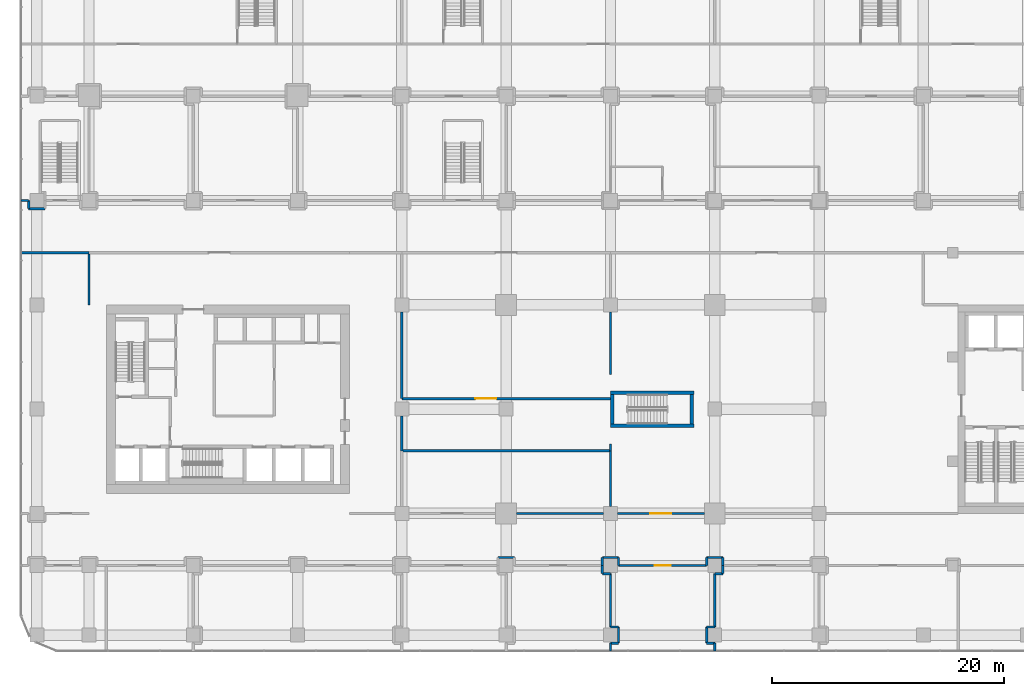
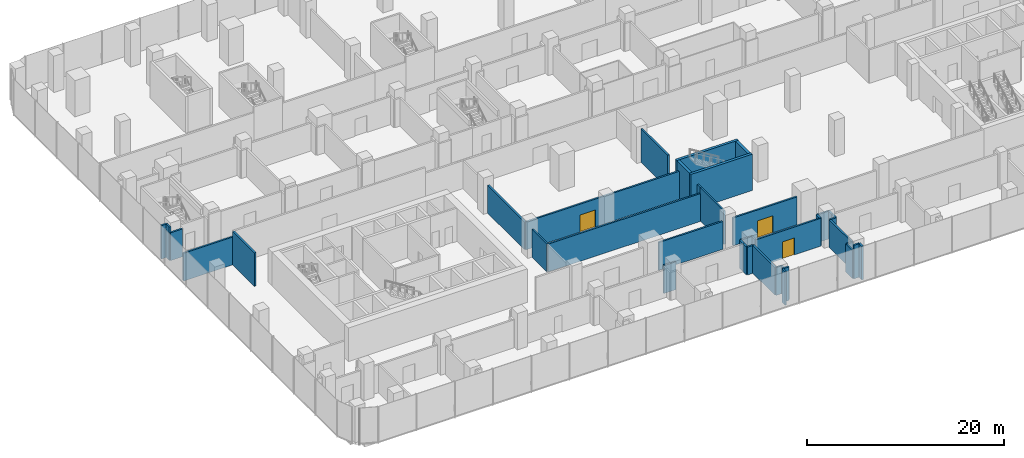
# One storey, part 30 of 43: 40 walls, 3 doors, 3 openings.
"""IFC4 building model written with IfcOpenShell, lengths in metres."""

import ifcopenshell
import ifcopenshell.guid

model = None  # the IFC model being written
_history = None  # IfcOwnerHistory: only IFC2X3 demands one
_inside = {}  # id of a spatial element -> (the spatial element, [elements in it])
_under = {}  # id of a project, library or spatial element -> (it, [spatial elements below it])
_declared = {}  # id of a project -> (the project, [libraries it declares])
_typed = {}  # id of a type object -> (the type object, [elements of that type])
_made_of = {}  # id of a material, layer set ... -> (it, [elements and type objects made of it])


def new_model(schema):
    """Start an empty IFC model of exactly this schema.

    Asked for "IFC4X3", IfcOpenShell would pick the latest addendum, in which some entities
    have other attributes; the version numbers below select the first issue.
    IFC2X3 requires an IfcOwnerHistory on every rooted entity: one is made here for all.
    """
    global model, _history
    if schema == "IFC4X3":
        model = ifcopenshell.file(schema_version=(4, 3, 0, 0))
    else:
        model = ifcopenshell.file(schema=schema)
    _inside.clear()
    _under.clear()
    _declared.clear()
    _typed.clear()
    _made_of.clear()
    _history = None
    if model.schema == "IFC2X3":
        org = make("IfcOrganization", Name="unknown")
        user = make(
            "IfcPersonAndOrganization",
            ThePerson=make("IfcPerson", FamilyName="unknown"),
            TheOrganization=org,
        )
        app = make(
            "IfcApplication",
            ApplicationDeveloper=org,
            Version="unknown",
            ApplicationFullName="unknown",
            ApplicationIdentifier="unknown",
        )
        _history = make(
            "IfcOwnerHistory",
            OwningUser=user,
            OwningApplication=app,
            ChangeAction="ADDED",
            CreationDate=0,
        )
    return model


def make(cls, **values):
    """One entity of the class cls with the attributes given. An attribute that is None is left unset."""
    return model.create_entity(
        cls, **{name: value for name, value in values.items() if value is not None}
    )


def rooted(cls, **values):
    """An entity with a GlobalId (a new one), such as an element, a storey or a relation."""
    return make(cls, GlobalId=ifcopenshell.guid.new(), OwnerHistory=_history, **values)


def si_unit(unit_type, name, prefix=None):
    """IfcSIUnit, for example si_unit("LENGTHUNIT", "METRE", prefix="MILLI")."""
    return make("IfcSIUnit", UnitType=unit_type, Prefix=prefix, Name=name)


def assignment(units):
    """IfcUnitAssignment: the units of a project."""
    return None if units is None else make("IfcUnitAssignment", Units=units)


def point(xyz):
    """IfcCartesianPoint."""
    return None if xyz is None else make("IfcCartesianPoint", Coordinates=xyz)


def direction(xyz):
    """IfcDirection."""
    return None if xyz is None else make("IfcDirection", DirectionRatios=xyz)


def frame(location, z_axis=None, x_axis=None):
    """IfcAxis2Placement3D, a coordinate frame: its origin and axes. An axis left out is left unset."""
    return make(
        "IfcAxis2Placement3D",
        Location=point(location),
        Axis=direction(z_axis),
        RefDirection=direction(x_axis),
    )


def frame_2d(location, x_axis=None):
    """IfcAxis2Placement2D, a coordinate frame in the plane: its origin and x axis."""
    return make(
        "IfcAxis2Placement2D", Location=point(location), RefDirection=direction(x_axis)
    )


def origin():
    """The frame at (0, 0, 0) with its axes left unset."""
    return frame((0.0, 0.0, 0.0))


def place(relative_to, where):
    """IfcLocalPlacement: puts the frame where relative to a parent placement (None: the world)."""
    return make(
        "IfcLocalPlacement", PlacementRelTo=relative_to, RelativePlacement=where
    )


def context(
    kind, dimensions, precision=None, world=None, true_north=None, identifier=None
):
    """IfcGeometricRepresentationContext, for example the 3D "Model" context."""
    return make(
        "IfcGeometricRepresentationContext",
        ContextIdentifier=identifier,
        ContextType=kind,
        CoordinateSpaceDimension=dimensions,
        Precision=precision,
        WorldCoordinateSystem=world,
        TrueNorth=true_north,
    )


def subcontext(parent, identifier, kind, view, scale=None):
    """IfcGeometricRepresentationSubContext, for example "Body" below "Model"."""
    return make(
        "IfcGeometricRepresentationSubContext",
        ContextIdentifier=identifier,
        ContextType=kind,
        ParentContext=parent,
        TargetScale=scale,
        TargetView=view,
    )


def project(units=None, contexts=None):
    """IfcProject with its units and contexts."""
    return rooted(
        "IfcProject",
        Name="project",
        RepresentationContexts=contexts,
        UnitsInContext=assignment(units),
    )


def spatial(cls, under=None, at=None, **own):
    """A site, building, storey or space (cls), placed at a placement, below another one or the project."""
    s = rooted(cls, ObjectPlacement=at, **own)
    if under is not None:
        _under.setdefault(under.id(), (under, []))[1].append(s)
    return s


def profile(cls, at=None, kind="AREA", **sizes):
    """A parametric profile (cls). Its sizes go by their IFC names, for example OverallWidth=200.0."""
    return make(cls, ProfileType=kind, Position=at, **sizes)


def rectangle(**sizes):
    """IfcRectangleProfileDef."""
    return profile("IfcRectangleProfileDef", **sizes)


def extrude(swept, where, along, depth):
    """IfcExtrudedAreaSolid: the profile swept, set in the frame where, extruded along a direction by depth."""
    return make(
        "IfcExtrudedAreaSolid",
        SweptArea=swept,
        Position=where,
        ExtrudedDirection=direction(along),
        Depth=depth,
    )


def shape(context_of_items, identifier, shape_type, items):
    """IfcShapeRepresentation: the items that make up one representation, for example the "Body"."""
    return make(
        "IfcShapeRepresentation",
        ContextOfItems=context_of_items,
        RepresentationIdentifier=identifier,
        RepresentationType=shape_type,
        Items=items,
    )


def material(Name=None, Category=None):
    """IfcMaterial."""
    return make("IfcMaterial", Name=Name, Category=Category)


def layer(
    of_material, thickness, ventilated=None, Name=None, Category=None, Priority=None
):
    """IfcMaterialLayer: one layer of a wall or slab, of a material (None: an air gap)."""
    return make(
        "IfcMaterialLayer",
        Material=of_material,
        LayerThickness=thickness,
        IsVentilated=ventilated,
        Name=Name,
        Category=Category,
        Priority=Priority,
    )


def layer_set(layers, Name=None):
    """IfcMaterialLayerSet."""
    return make("IfcMaterialLayerSet", MaterialLayers=layers, LayerSetName=Name)


def made_of(thing, what):
    """Note that an element or type object is made of a material, layer set ...; save() writes the relation."""
    if what is not None:
        _made_of.setdefault(what.id(), (what, []))[1].append(thing)
    return thing


def type_object(cls, material=None, **own):
    """A type object (cls), such as IfcWallType, which elements share."""
    return made_of(rooted(cls, **own), material)


def element(
    cls,
    number,
    at=None,
    inside=None,
    cuts=None,
    type_object=None,
    material=None,
    context=None,
    identifier="Body",
    shape_type=None,
    held_by="IfcProductDefinitionShape",
    body=None,
    shapes=None,
    **own,
):
    """One element of the class cls, such as IfcWall. Its Tag is "e" and its number.

    at: its placement. inside: the storey or other place that contains it. cuts: it is an
    opening in that element (IfcRelVoidsElement). A single representation is given by context,
    identifier, shape_type and body (its items); several are given by shapes. held_by: the class
    of the entity that holds the representations. save() writes the other relations.
    """
    e = rooted(cls, Tag="e%d" % number, ObjectPlacement=at, **own)
    if body is not None:
        shapes = [shape(context, identifier, shape_type, body)]
    if shapes is not None:
        e.Representation = make(held_by, Representations=shapes)
    if inside is not None:
        _inside.setdefault(inside.id(), (inside, []))[1].append(e)
    if cuts is not None:
        rooted(
            "IfcRelVoidsElement", RelatingBuildingElement=cuts, RelatedOpeningElement=e
        )
    if type_object is not None:
        _typed.setdefault(type_object.id(), (type_object, []))[1].append(e)
    return made_of(e, material)


def fill(opening, filler):
    """IfcRelFillsElement: the door or window that sits in an opening."""
    return rooted(
        "IfcRelFillsElement",
        RelatingOpeningElement=opening,
        RelatedBuildingElement=filler,
    )


def aggregate(whole, parts):
    """IfcRelAggregates: a whole, such as a stair, and the parts it consists of."""
    return rooted("IfcRelAggregates", RelatingObject=whole, RelatedObjects=parts)


def save(model, path):
    """Write the relations noted so far, then the file.

    IfcRelAggregates (storeys below a building ...), IfcRelContainedInSpatialStructure (elements
    in a storey), IfcRelDefinesByType, IfcRelAssociatesMaterial and IfcRelDeclares: one each for
    every whole, place, type object, material and project.
    """
    for whole, parts in _under.values():
        aggregate(whole, parts)
    for where, things in _inside.values():
        rooted(
            "IfcRelContainedInSpatialStructure",
            RelatedElements=things,
            RelatingStructure=where,
        )
    for kind, things in _typed.values():
        rooted("IfcRelDefinesByType", RelatedObjects=things, RelatingType=kind)
    for what, things in _made_of.values():
        rooted("IfcRelAssociatesMaterial", RelatedObjects=things, RelatingMaterial=what)
    for by, libraries in _declared.values():
        rooted("IfcRelDeclares", RelatingContext=by, RelatedDefinitions=libraries)
    model.write(path)


model = new_model("IFC4")

# Units and contexts
model_context = context("Model", 3, precision=1e-05, world=origin(), true_north=direction((0.0, 1.0)))
body_context = subcontext(model_context, "Body", "Model", "MODEL_VIEW")
ifc_project = project(units=[si_unit("LENGTHUNIT", "METRE"), si_unit("AREAUNIT", "SQUARE_METRE"), si_unit("VOLUMEUNIT", "CUBIC_METRE"), si_unit("PLANEANGLEUNIT", "RADIAN"), si_unit("MASSUNIT", "GRAM", prefix="KILO")], contexts=[model_context])

# Site, building, storey
site_placement = place(None, origin())
site = spatial("IfcSite", under=ifc_project, at=site_placement, CompositionType="ELEMENT")
building_placement = place(site_placement, origin())
building = spatial("IfcBuilding", under=site, at=building_placement, Name="Plateau Cross Towers", CompositionType="ELEMENT")
storey_placement = place(building_placement, frame((0.0, 0.0, 12.800048828125)))
storey = spatial("IfcBuildingStorey", under=building, at=storey_placement, Name="L02", CompositionType="ELEMENT", Elevation=12.800048828125)

# Wall, opening, door
ifc_material_1 = material(Name="Gypsum board on steel studs", Category="steel")
ifc_layer_1 = layer(ifc_material_1, 0.199951171875)
ifc_layer_set_1 = layer_set([ifc_layer_1], Name="Gypsum board on steel studs")
wall_type_1 = type_object("IfcWallType", Name="Podium partition 200", PredefinedType="PARTITIONING", material=ifc_layer_set_1)
wall_1_placement = place(storey_placement, frame((45.60009765625, 0.0, 0.0), z_axis=(0.0, 0.0, 1.0), x_axis=(1.0, 0.0, 0.0)))
wall_1 = element("IfcWall", 1, at=wall_1_placement, inside=storey, type_object=wall_type_1, Name="Partition wall", PredefinedType="PARTITIONING", context=body_context, shape_type="SweptSolid", body=[
    extrude(rectangle(XDim=7.5, YDim=0.199951171875, at=frame_2d((3.75, 0.0))), origin(), (0.0, 0.0, 1.0), 3.449951171875),
])
opening_1_placement = place(wall_1_placement, frame((2.85009765625, 0.0, 0.0)))
opening_1 = element("IfcOpeningElement", 2, at=opening_1_placement, cuts=wall_1, Name="Opening 02-32", PredefinedType="OPENING", context=body_context, shape_type="SweptSolid", body=[
    extrude(rectangle(XDim=1.800048828125, YDim=2.10009765625, at=frame_2d((0.89990234375, 1.050048828125))), frame((0.0, 0.10986328125, 0.0), z_axis=(0.0, -1.0, 0.0), x_axis=(1.0, 0.0, 0.0)), (0.0, 0.0, 1.0), 0.219970703125),
])
ifc_material_2 = material(Name="Aluminium frame, toughened glass", Category="aluminium")
door_type_1 = type_object("IfcDoorType", Name="Podium door pair 1800", OperationType="NOTDEFINED", PredefinedType="DOOR", material=ifc_material_2)
door_1_placement = place(opening_1_placement, origin())
door_1 = element("IfcDoor", 3, at=door_1_placement, inside=storey, type_object=door_type_1, Name="Door 02-32", OperationType="DOUBLE_DOOR_SINGLE_SWING", OverallHeight=2.10009765625, OverallWidth=1.800048828125, PredefinedType="DOOR", context=body_context, shape_type="SweptSolid", body=[
    extrude(rectangle(XDim=1.800048828125, YDim=2.10009765625, at=frame_2d((0.89990234375, 1.050048828125))), frame((0.0, 0.02490234375, 0.0), z_axis=(0.0, -1.0, 0.0), x_axis=(1.0, 0.0, 0.0)), (0.0, 0.0, 1.0), 0.050048828125),
])
fill(opening_1, door_1)

# Wall
wall_2_placement = place(storey_placement, frame((36.89990234375, 0.0, 0.0), z_axis=(0.0, 0.0, 1.0), x_axis=(1.0, 0.0, 0.0)))
element("IfcWall", 4, at=wall_2_placement, inside=storey, type_object=wall_type_1, Name="Partition wall", PredefinedType="PARTITIONING", context=body_context, shape_type="SweptSolid", body=[
    extrude(rectangle(XDim=7.5, YDim=0.199951171875, at=frame_2d((3.75, 0.0))), origin(), (0.0, 0.0, 1.0), 3.449951171875),
])

# Wall, opening, door
wall_3_placement = place(storey_placement, frame((27.0, 9.89990234375, 0.0), z_axis=(0.0, 0.0, 1.0), x_axis=(1.0, 0.0, 0.0)))
wall_3 = element("IfcWall", 5, at=wall_3_placement, inside=storey, type_object=wall_type_1, Name="Partition wall", PredefinedType="PARTITIONING", context=body_context, shape_type="SweptSolid", body=[
    extrude(rectangle(XDim=18.0, YDim=0.199951171875, at=frame_2d((9.0, 0.0))), origin(), (0.0, 0.0, 1.0), 3.449951171875),
])
opening_2_placement = place(wall_3_placement, frame((6.35009765625, 0.0, 0.0)))
opening_2 = element("IfcOpeningElement", 6, at=opening_2_placement, cuts=wall_3, Name="Opening 02-43", PredefinedType="OPENING", context=body_context, shape_type="SweptSolid", body=[
    extrude(rectangle(XDim=1.800048828125, YDim=2.10009765625, at=frame_2d((0.89990234375, 1.050048828125))), frame((0.0, 0.10986328125, 0.0), z_axis=(0.0, -1.0, 0.0), x_axis=(1.0, 0.0, 0.0)), (0.0, 0.0, 1.0), 0.219970703125),
])
door_2_placement = place(opening_2_placement, origin())
door_2 = element("IfcDoor", 7, at=door_2_placement, inside=storey, type_object=door_type_1, Name="Door 02-43", OperationType="DOUBLE_DOOR_SINGLE_SWING", OverallHeight=2.10009765625, OverallWidth=1.800048828125, PredefinedType="DOOR", context=body_context, shape_type="SweptSolid", body=[
    extrude(rectangle(XDim=1.800048828125, YDim=2.10009765625, at=frame_2d((0.89990234375, 1.050048828125))), frame((0.0, 0.02490234375, 0.0), z_axis=(0.0, -1.0, 0.0), x_axis=(1.0, 0.0, 0.0)), (0.0, 0.0, 1.0), 0.050048828125),
])
fill(opening_2, door_2)

# Walls
wall_4_placement = place(storey_placement, frame((45.0, 5.39990234375, 0.0), z_axis=(0.0, 0.0, 1.0), x_axis=(-1.0, 0.0, 0.0)))
element("IfcWall", 8, at=wall_4_placement, inside=storey, type_object=wall_type_1, Name="Partition wall", PredefinedType="PARTITIONING", context=body_context, shape_type="SweptSolid", body=[
    extrude(rectangle(XDim=18.0, YDim=0.199951171875, at=frame_2d((9.0, 0.0))), origin(), (0.0, 0.0, 1.0), 3.449951171875),
])
wall_5_placement = place(storey_placement, frame((54.699951171875, -4.5, 0.0), z_axis=(0.0, 0.0, 1.0), x_axis=(0.0, 1.0, 0.0)))
element("IfcWall", 9, at=wall_5_placement, inside=storey, type_object=wall_type_1, Name="Partition wall", PredefinedType="PARTITIONING", context=body_context, shape_type="SweptSolid", body=[
    extrude(rectangle(XDim=0.699951171875, YDim=0.199951171875, at=frame_2d((0.35009765625, 0.0))), origin(), (0.0, 0.0, 1.0), 3.449951171875),
])
wall_6_placement = place(storey_placement, frame((54.699951171875, -3.800048828125, 0.0), z_axis=(0.0, 0.0, 1.0), x_axis=(-1.0, 0.0, 0.0)))
element("IfcWall", 10, at=wall_6_placement, inside=storey, type_object=wall_type_1, Name="Partition wall", PredefinedType="PARTITIONING", context=body_context, shape_type="SweptSolid", body=[
    extrude(rectangle(XDim=1.39990234375, YDim=0.199951171875, at=frame_2d((0.699951171875, 0.0))), origin(), (0.0, 0.0, 1.0), 3.449951171875),
])
wall_7_placement = place(storey_placement, frame((53.300048828125, -3.800048828125, 0.0), z_axis=(0.0, 0.0, 1.0), x_axis=(0.0, -1.0, 0.0)))
element("IfcWall", 11, at=wall_7_placement, inside=storey, type_object=wall_type_1, Name="Partition wall", PredefinedType="PARTITIONING", context=body_context, shape_type="SweptSolid", body=[
    extrude(rectangle(XDim=0.699951171875, YDim=0.199951171875, at=frame_2d((0.35009765625, 0.0))), origin(), (0.0, 0.0, 1.0), 3.449951171875),
])

# Wall, opening, door
wall_8_placement = place(storey_placement, frame((53.300048828125, -4.5, 0.0), z_axis=(0.0, 0.0, 1.0), x_axis=(-1.0, 0.0, 0.0)))
wall_8 = element("IfcWall", 12, at=wall_8_placement, inside=storey, type_object=wall_type_1, Name="Partition wall", PredefinedType="PARTITIONING", context=body_context, shape_type="SweptSolid", body=[
    extrude(rectangle(XDim=7.60009765625, YDim=0.199951171875, at=frame_2d((3.800048828125, 0.0))), origin(), (0.0, 0.0, 1.0), 3.449951171875),
])
opening_3_placement = place(wall_8_placement, frame((3.10009765625, 0.0, 0.0)))
opening_3 = element("IfcOpeningElement", 13, at=opening_3_placement, cuts=wall_8, Name="Opening 02-12", PredefinedType="OPENING", context=body_context, shape_type="SweptSolid", body=[
    extrude(rectangle(XDim=1.39990234375, YDim=2.10009765625, at=frame_2d((0.699951171875, 1.050048828125))), frame((0.0, 0.10986328125, 0.0), z_axis=(0.0, -1.0, 0.0), x_axis=(1.0, 0.0, 0.0)), (0.0, 0.0, 1.0), 0.219970703125),
])
ifc_material_3 = material(Name="Timber, hospital grade leaf", Category="wood")
door_type_2 = type_object("IfcDoorType", Name="Clinic bed access door 1400x2100", OperationType="NOTDEFINED", PredefinedType="DOOR", material=ifc_material_3)
door_3_placement = place(opening_3_placement, origin())
door_3 = element("IfcDoor", 14, at=door_3_placement, inside=storey, type_object=door_type_2, Name="Door 02-12", OperationType="SINGLE_SWING_LEFT", OverallHeight=2.10009765625, OverallWidth=1.39990234375, PredefinedType="DOOR", context=body_context, shape_type="SweptSolid", body=[
    extrude(rectangle(XDim=1.39990234375, YDim=2.10009765625, at=frame_2d((0.699951171875, 1.050048828125))), frame((0.0, 0.02490234375, 0.0), z_axis=(0.0, -1.0, 0.0), x_axis=(1.0, 0.0, 0.0)), (0.0, 0.0, 1.0), 0.050048828125),
])
fill(opening_3, door_3)

# Walls
wall_9_placement = place(storey_placement, frame((45.699951171875, -4.5, 0.0), z_axis=(0.0, 0.0, 1.0), x_axis=(0.0, 1.0, 0.0)))
element("IfcWall", 15, at=wall_9_placement, inside=storey, type_object=wall_type_1, Name="Partition wall", PredefinedType="PARTITIONING", context=body_context, shape_type="SweptSolid", body=[
    extrude(rectangle(XDim=0.699951171875, YDim=0.199951171875, at=frame_2d((0.35009765625, 0.0))), origin(), (0.0, 0.0, 1.0), 3.449951171875),
])
wall_10_placement = place(storey_placement, frame((45.699951171875, -3.800048828125, 0.0), z_axis=(0.0, 0.0, 1.0), x_axis=(-1.0, 0.0, 0.0)))
element("IfcWall", 16, at=wall_10_placement, inside=storey, type_object=wall_type_1, Name="Partition wall", PredefinedType="PARTITIONING", context=body_context, shape_type="SweptSolid", body=[
    extrude(rectangle(XDim=1.39990234375, YDim=0.199951171875, at=frame_2d((0.699951171875, 0.0))), origin(), (0.0, 0.0, 1.0), 3.449951171875),
])
wall_11_placement = place(storey_placement, frame((44.300048828125, -3.800048828125, 0.0), z_axis=(0.0, 0.0, 1.0), x_axis=(0.0, -1.0, 0.0)))
element("IfcWall", 17, at=wall_11_placement, inside=storey, type_object=wall_type_1, Name="Partition wall", PredefinedType="PARTITIONING", context=body_context, shape_type="SweptSolid", body=[
    extrude(rectangle(XDim=0.699951171875, YDim=0.199951171875, at=frame_2d((0.35009765625, 0.0))), origin(), (0.0, 0.0, 1.0), 3.449951171875),
])
wall_12_placement = place(storey_placement, frame((27.0, 17.39990234375, 0.0), z_axis=(0.0, 0.0, 1.0), x_axis=(0.0, -1.0, 0.0)))
element("IfcWall", 18, at=wall_12_placement, inside=storey, type_object=wall_type_1, Name="Partition wall", PredefinedType="PARTITIONING", context=body_context, shape_type="SweptSolid", body=[
    extrude(rectangle(XDim=7.5, YDim=0.199951171875, at=frame_2d((3.75, 0.0))), origin(), (0.0, 0.0, 1.0), 3.449951171875),
])
wall_13_placement = place(storey_placement, frame((45.0, 17.39990234375, 0.0), z_axis=(0.0, 0.0, 1.0), x_axis=(0.0, -1.0, 0.0)))
element("IfcWall", 19, at=wall_13_placement, inside=storey, type_object=wall_type_1, Name="Partition wall", PredefinedType="PARTITIONING", context=body_context, shape_type="SweptSolid", body=[
    extrude(rectangle(XDim=5.39990234375, YDim=0.199951171875, at=frame_2d((2.699951171875, 0.0))), origin(), (0.0, 0.0, 1.0), 4.14990234375),
])
wall_14_placement = place(storey_placement, frame((36.699951171875, -3.800048828125, 0.0), z_axis=(0.0, 0.0, 1.0), x_axis=(-1.0, 0.0, 0.0)))
element("IfcWall", 20, at=wall_14_placement, inside=storey, type_object=wall_type_1, Name="Partition wall", PredefinedType="PARTITIONING", context=body_context, shape_type="SweptSolid", body=[
    extrude(rectangle(XDim=1.39990234375, YDim=0.199951171875, at=frame_2d((0.699951171875, 0.0))), origin(), (0.0, 0.0, 1.0), 3.449951171875),
])
for number, where, z_axis, x_axis, name in (
    (21, (44.300048828125, -4.5, 0.0), (0.0, 0.0, 1.0), (0.0, -1.0, 0.0), "Partition wall"),
    (22, (44.300048828125, -5.199951171875, 0.0), (0.0, 0.0, 1.0), (1.0, 0.0, 0.0), "Partition wall"),
):
    element("IfcWall", number, at=place(storey_placement, frame(where, z_axis=z_axis, x_axis=x_axis)), inside=storey, type_object=wall_type_1, Name=name, PredefinedType="PARTITIONING", context=body_context, shape_type="SweptSolid", body=[
        extrude(rectangle(XDim=0.699951171875, YDim=0.199951171875, at=frame_2d((0.35009765625, 0.0))), origin(), (0.0, 0.0, 1.0), 3.449951171875),
    ])
wall_15_placement = place(storey_placement, frame((45.0, -5.199951171875, 0.0), z_axis=(0.0, 0.0, 1.0), x_axis=(0.0, -1.0, 0.0)))
element("IfcWall", 23, at=wall_15_placement, inside=storey, type_object=wall_type_1, Name="Partition wall", PredefinedType="PARTITIONING", context=body_context, shape_type="SweptSolid", body=[
    extrude(rectangle(XDim=4.60009765625, YDim=0.199951171875, at=frame_2d((2.300048828125, 0.0))), origin(), (0.0, 0.0, 1.0), 3.449951171875),
])
wall_16_placement = place(storey_placement, frame((45.0, -9.800048828125, 0.0), z_axis=(0.0, 0.0, 1.0), x_axis=(1.0, 0.0, 0.0)))
element("IfcWall", 24, at=wall_16_placement, inside=storey, type_object=wall_type_1, Name="Partition wall", PredefinedType="PARTITIONING", context=body_context, shape_type="SweptSolid", body=[
    extrude(rectangle(XDim=0.699951171875, YDim=0.199951171875, at=frame_2d((0.35009765625, 0.0))), origin(), (0.0, 0.0, 1.0), 3.449951171875),
])
wall_17_placement = place(storey_placement, frame((45.699951171875, -9.800048828125, 0.0), z_axis=(0.0, 0.0, 1.0), x_axis=(0.0, -1.0, 0.0)))
element("IfcWall", 25, at=wall_17_placement, inside=storey, type_object=wall_type_1, Name="Partition wall", PredefinedType="PARTITIONING", context=body_context, shape_type="SweptSolid", body=[
    extrude(rectangle(XDim=1.39990234375, YDim=0.199951171875, at=frame_2d((0.699951171875, 0.0))), origin(), (0.0, 0.0, 1.0), 3.449951171875),
])
wall_18_placement = place(storey_placement, frame((45.699951171875, -11.199951171875, 0.0), z_axis=(0.0, 0.0, 1.0), x_axis=(-1.0, 0.0, 0.0)))
element("IfcWall", 26, at=wall_18_placement, inside=storey, type_object=wall_type_1, Name="Partition wall", PredefinedType="PARTITIONING", context=body_context, shape_type="SweptSolid", body=[
    extrude(rectangle(XDim=0.699951171875, YDim=0.199951171875, at=frame_2d((0.35009765625, 0.0))), origin(), (0.0, 0.0, 1.0), 4.14990234375),
])
wall_19_placement = place(storey_placement, frame((45.0, -11.199951171875, 0.0), z_axis=(0.0, 0.0, 1.0), x_axis=(0.0, -1.0, 0.0)))
element("IfcWall", 27, at=wall_19_placement, inside=storey, type_object=wall_type_1, Name="Partition wall", PredefinedType="PARTITIONING", context=body_context, shape_type="SweptSolid", body=[
    extrude(rectangle(XDim=0.650146484375, YDim=0.199951171875, at=frame_2d((0.3251953125, 0.0))), origin(), (0.0, 0.0, 1.0), 4.14990234375),
])
for number, where, z_axis, x_axis, name in (
    (28, (54.699951171875, -4.5, 0.0), (0.0, 0.0, 1.0), (0.0, -1.0, 0.0), "Partition wall"),
    (29, (54.699951171875, -5.199951171875, 0.0), (0.0, 0.0, 1.0), (-1.0, 0.0, 0.0), "Partition wall"),
):
    element("IfcWall", number, at=place(storey_placement, frame(where, z_axis=z_axis, x_axis=x_axis)), inside=storey, type_object=wall_type_1, Name=name, PredefinedType="PARTITIONING", context=body_context, shape_type="SweptSolid", body=[
        extrude(rectangle(XDim=0.699951171875, YDim=0.199951171875, at=frame_2d((0.35009765625, 0.0))), origin(), (0.0, 0.0, 1.0), 3.449951171875),
    ])
wall_20_placement = place(storey_placement, frame((54.0, -5.199951171875, 0.0), z_axis=(0.0, 0.0, 1.0), x_axis=(0.0, -1.0, 0.0)))
element("IfcWall", 30, at=wall_20_placement, inside=storey, type_object=wall_type_1, Name="Partition wall", PredefinedType="PARTITIONING", context=body_context, shape_type="SweptSolid", body=[
    extrude(rectangle(XDim=4.60009765625, YDim=0.199951171875, at=frame_2d((2.300048828125, 0.0))), origin(), (0.0, 0.0, 1.0), 3.449951171875),
])
wall_21_placement = place(storey_placement, frame((54.0, -9.800048828125, 0.0), z_axis=(0.0, 0.0, 1.0), x_axis=(-1.0, 0.0, 0.0)))
element("IfcWall", 31, at=wall_21_placement, inside=storey, type_object=wall_type_1, Name="Partition wall", PredefinedType="PARTITIONING", context=body_context, shape_type="SweptSolid", body=[
    extrude(rectangle(XDim=0.699951171875, YDim=0.199951171875, at=frame_2d((0.35009765625, 0.0))), origin(), (0.0, 0.0, 1.0), 3.449951171875),
])
wall_22_placement = place(storey_placement, frame((53.300048828125, -9.800048828125, 0.0), z_axis=(0.0, 0.0, 1.0), x_axis=(0.0, -1.0, 0.0)))
element("IfcWall", 32, at=wall_22_placement, inside=storey, type_object=wall_type_1, Name="Partition wall", PredefinedType="PARTITIONING", context=body_context, shape_type="SweptSolid", body=[
    extrude(rectangle(XDim=1.39990234375, YDim=0.199951171875, at=frame_2d((0.699951171875, 0.0))), origin(), (0.0, 0.0, 1.0), 3.449951171875),
])
wall_23_placement = place(storey_placement, frame((53.300048828125, -11.199951171875, 0.0), z_axis=(0.0, 0.0, 1.0), x_axis=(1.0, 0.0, 0.0)))
element("IfcWall", 33, at=wall_23_placement, inside=storey, type_object=wall_type_1, Name="Partition wall", PredefinedType="PARTITIONING", context=body_context, shape_type="SweptSolid", body=[
    extrude(rectangle(XDim=0.699951171875, YDim=0.199951171875, at=frame_2d((0.35009765625, 0.0))), origin(), (0.0, 0.0, 1.0), 4.14990234375),
])
wall_24_placement = place(storey_placement, frame((54.0, -11.199951171875, 0.0), z_axis=(0.0, 0.0, 1.0), x_axis=(0.0, -1.0, 0.0)))
element("IfcWall", 34, at=wall_24_placement, inside=storey, type_object=wall_type_1, Name="Partition wall", PredefinedType="PARTITIONING", context=body_context, shape_type="SweptSolid", body=[
    extrude(rectangle(XDim=0.650146484375, YDim=0.199951171875, at=frame_2d((0.3251953125, 0.0))), origin(), (0.0, 0.0, 1.0), 4.14990234375),
])
wall_25_placement = place(storey_placement, frame((0.0, 22.5, 0.0), z_axis=(0.0, 0.0, 1.0), x_axis=(-1.0, 0.0, 0.0)))
element("IfcWall", 35, at=wall_25_placement, inside=storey, type_object=wall_type_1, Name="Partition wall", PredefinedType="PARTITIONING", context=body_context, shape_type="SweptSolid", body=[
    extrude(rectangle(XDim=5.85009765625, YDim=0.199951171875, at=frame_2d((2.925048828125, 0.0))), origin(), (0.0, 0.0, 1.0), 3.449951171875),
])
wall_26_placement = place(storey_placement, frame((45.0, 5.39990234375, 0.0), z_axis=(0.0, 0.0, 1.0), x_axis=(0.0, -1.0, 0.0)))
element("IfcWall", 36, at=wall_26_placement, inside=storey, type_object=wall_type_1, Name="Partition wall", PredefinedType="PARTITIONING", context=body_context, shape_type="SweptSolid", body=[
    extrude(rectangle(XDim=4.7998046875, YDim=0.199951171875, at=frame_2d((2.39990234375, 0.0))), origin(), (0.0, 0.0, 1.0), 4.14990234375),
])
wall_27_placement = place(storey_placement, frame((27.0, 8.39990234375, 0.0), z_axis=(0.0, 0.0, 1.0), x_axis=(0.0, -1.0, 0.0)))
element("IfcWall", 37, at=wall_27_placement, inside=storey, type_object=wall_type_1, Name="Partition wall", PredefinedType="PARTITIONING", context=body_context, shape_type="SweptSolid", body=[
    extrude(rectangle(XDim=3.0, YDim=0.199951171875, at=frame_2d((1.5, 0.0))), origin(), (0.0, 0.0, 1.0), 3.449951171875),
])
wall_28_placement = place(storey_placement, frame((0.0, 18.0, 0.0), z_axis=(0.0, 0.0, 1.0), x_axis=(0.0, 1.0, 0.0)))
element("IfcWall", 38, at=wall_28_placement, inside=storey, type_object=wall_type_1, Name="Partition wall", PredefinedType="PARTITIONING", context=body_context, shape_type="SweptSolid", body=[
    extrude(rectangle(XDim=4.39990234375, YDim=0.199951171875, at=frame_2d((2.199951171875, 0.0))), origin(), (0.0, 0.0, 1.0), 4.14990234375),
])
wall_29_placement = place(storey_placement, frame((-5.85009765625, 27.0, 0.0), z_axis=(0.0, 0.0, 1.0), x_axis=(1.0, 0.0, 0.0)))
element("IfcWall", 39, at=wall_29_placement, inside=storey, type_object=wall_type_1, Name="Partition wall", PredefinedType="PARTITIONING", context=body_context, shape_type="SweptSolid", body=[
    extrude(rectangle(XDim=0.650146484375, YDim=0.199951171875, at=frame_2d((0.3251953125, 0.0))), origin(), (0.0, 0.0, 1.0), 4.14990234375),
])
wall_30_placement = place(storey_placement, frame((-5.199951171875, 27.0, 0.0), z_axis=(0.0, 0.0, 1.0), x_axis=(0.0, -1.0, 0.0)))
element("IfcWall", 40, at=wall_30_placement, inside=storey, type_object=wall_type_1, Name="Partition wall", PredefinedType="PARTITIONING", context=body_context, shape_type="SweptSolid", body=[
    extrude(rectangle(XDim=0.699951171875, YDim=0.199951171875, at=frame_2d((0.35009765625, 0.0))), origin(), (0.0, 0.0, 1.0), 4.14990234375),
])
wall_31_placement = place(storey_placement, frame((-5.199951171875, 26.300048828125, 0.0), z_axis=(0.0, 0.0, 1.0), x_axis=(1.0, 0.0, 0.0)))
element("IfcWall", 41, at=wall_31_placement, inside=storey, type_object=wall_type_1, Name="Partition wall", PredefinedType="PARTITIONING", context=body_context, shape_type="SweptSolid", body=[
    extrude(rectangle(XDim=1.39990234375, YDim=0.199951171875, at=frame_2d((0.699951171875, 0.0))), origin(), (0.0, 0.0, 1.0), 3.449951171875),
])
wall_32_placement = place(storey_placement, frame((45.0, 6.0, 0.0), z_axis=(0.0, 0.0, 1.0), x_axis=(0.0, -1.0, 0.0)))
element("IfcWall", 42, at=wall_32_placement, inside=storey, type_object=wall_type_1, Name="Partition wall", PredefinedType="PARTITIONING", context=body_context, shape_type="SweptSolid", body=[
    extrude(rectangle(XDim=0.60009765625, YDim=0.199951171875, at=frame_2d((0.300048828125, 0.0))), origin(), (0.0, 0.0, 1.0), 4.14990234375),
])
ifc_material_4 = material(Name="Concrete C60/75", Category="concrete")
ifc_layer_2 = layer(ifc_material_4, 0.300048828125)
ifc_layer_set_2 = layer_set([ifc_layer_2], Name="Concrete C60/75")
wall_type_2 = type_object("IfcWallType", Name="Stair tower wall 300", PredefinedType="SHEAR", material=ifc_layer_set_2)
for number, where, z_axis, x_axis, name in (
    (43, (45.14990234375, 7.72509765625, 0.0), (0.0, 0.0, 1.0), (0.0, 1.0, 0.0), "A-end-E-W@L02"),
    (44, (52.0, 7.72509765625, 0.0), (0.0, 0.0, 1.0), (0.0, 1.0, 0.0), "A-end-E-E@L02"),
):
    element("IfcWall", number, at=place(storey_placement, frame(where, z_axis=z_axis, x_axis=x_axis)), inside=storey, type_object=wall_type_2, Name=name, PredefinedType="SHEAR", context=body_context, shape_type="SweptSolid", body=[
        extrude(rectangle(XDim=2.5498046875, YDim=0.300048828125, at=frame_2d((1.27490234375, 0.0))), origin(), (0.0, 0.0, 1.0), 4.5),
    ])
for number, where, z_axis, x_axis, name in (
    (45, (45.0, 7.574951171875, 0.0), (0.0, 0.0, 1.0), (1.0, 0.0, 0.0), "A-end-E-S@L02"),
    (46, (45.0, 10.425048828125, 0.0), (0.0, 0.0, 1.0), (1.0, 0.0, 0.0), "A-end-E-N@L02"),
):
    element("IfcWall", number, at=place(storey_placement, frame(where, z_axis=z_axis, x_axis=x_axis)), inside=storey, type_object=wall_type_2, Name=name, PredefinedType="SHEAR", context=body_context, shape_type="SweptSolid", body=[
        extrude(rectangle(XDim=7.199951171875, YDim=0.300048828125, at=frame_2d((3.60009765625, 0.0))), origin(), (0.0, 0.0, 1.0), 4.5),
    ])

save(model, "model.ifc")
